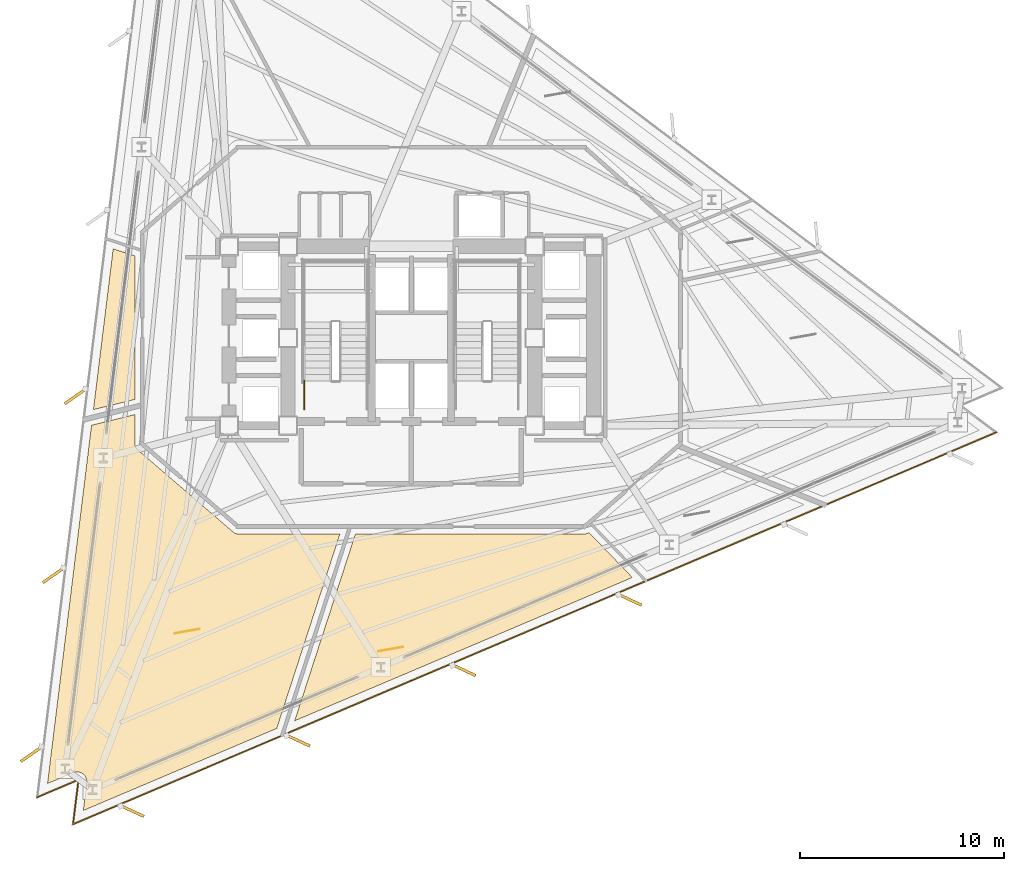
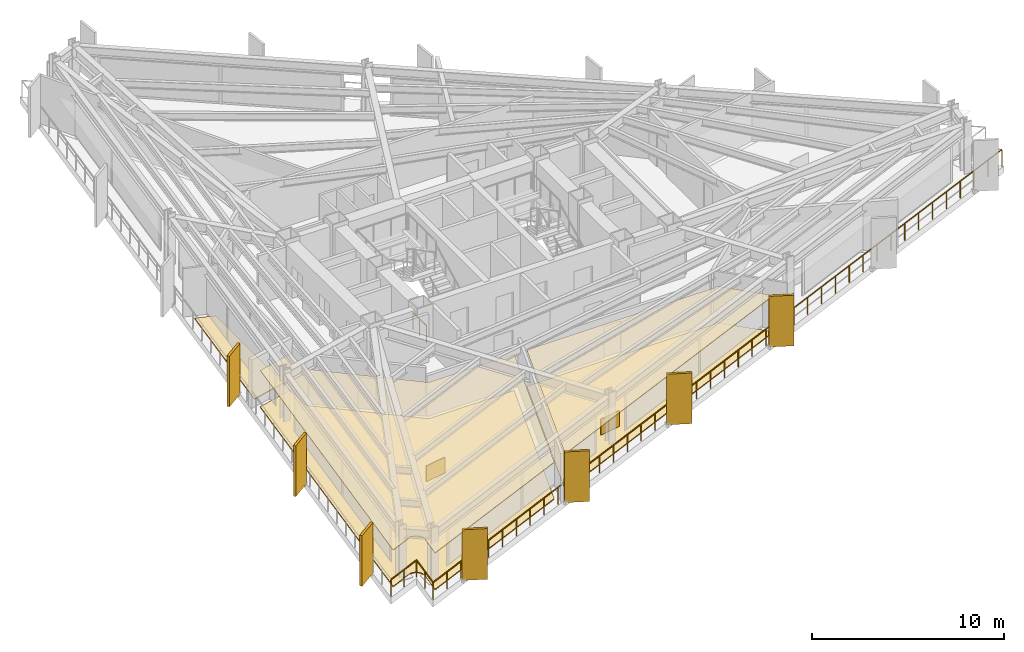
# One storey, part 9 of 13: 7 coverings, 7 shading devices, 2 railings.
"""IFC4 building model written with IfcOpenShell, lengths in metres."""

from ifc_helpers import new_model, si_unit, direction, frame, origin, origin_2d, place, context, subcontext, project, spatial, polyline, rectangle, outline, extrude, material, layer, layer_set, type_object, element, save


model = new_model("IFC4")

# Units and contexts
model_context = context("Model", 3, precision=1e-05, world=origin(), true_north=direction((0.0, 1.0)))
body_context = subcontext(model_context, "Body", "Model", "MODEL_VIEW")
ifc_project = project(units=[si_unit("LENGTHUNIT", "METRE"), si_unit("AREAUNIT", "SQUARE_METRE"), si_unit("VOLUMEUNIT", "CUBIC_METRE"), si_unit("PLANEANGLEUNIT", "RADIAN"), si_unit("MASSUNIT", "GRAM", prefix="KILO")], contexts=[model_context])

# Site, building, storey
site_placement = place(None, origin())
site = spatial("IfcSite", under=ifc_project, at=site_placement, CompositionType="ELEMENT")
building_placement = place(site_placement, origin())
building = spatial("IfcBuilding", under=site, at=building_placement, Name="Rocaltana Carrier Exchange", CompositionType="ELEMENT")
storey_placement = place(building_placement, frame((0.0, 0.0, 49.60009765625)))
storey = spatial("IfcBuildingStorey", under=building, at=storey_placement, Name="L15", CompositionType="ELEMENT", Elevation=49.60009765625)

# Coverings
ifc_material_1 = material(Name="Calcium Sulphate & Aluminium Pedestal", Category="aluminium")
ifc_layer_1 = layer(ifc_material_1, 0.06005859375)
ifc_layer_set_1 = layer_set([ifc_layer_1], Name="Calcium Sulphate & Aluminium Pedestal")
covering_type_1 = type_object("IfcCoveringType", Name="Anti-Static Raised Exchange Access Floor 60", PredefinedType="FLOORING", material=ifc_layer_set_1)
covering_1_placement = place(storey_placement, origin())
element("IfcCovering", 1, at=covering_1_placement, inside=storey, type_object=covering_type_1, Name="L15 Network Engineering Studio Finish Floor", PredefinedType="FLOORING", context=body_context, shape_type="SweptSolid", body=[
    extrude(outline(polyline([(-15.923583984375, -21.822021484375), (-15.922119140625, -21.80810546875), (-15.9208984375, -21.788330078125), (-15.920166015625, -21.760498046875), (-15.920654296875, -21.740478515625), (-15.9228515625, -21.712646484375), (-15.92529296875, -21.69287109375), (-15.930419921875, -21.665283203125), (-15.934814453125, -21.64599609375), (-15.9423828125, -21.619140625), (-15.94873046875, -21.60009765625), (-15.958984375, -21.57421875), (-15.96728515625, -21.55615234375), (-15.97998046875, -21.53125), (-15.989990234375, -21.51416015625), (-16.00537109375, -21.49072265625), (-16.01708984375, -21.474609375), (-16.034423828125, -21.45263671875), (-16.047607421875, -21.437744140625), (-16.067138671875, -21.41796875), (-16.081787109375, -21.404296875), (-16.103271484375, -21.386474609375), (-16.119140625, -21.37451171875), (-16.142333984375, -21.35888671875), (-16.159423828125, -21.348388671875), (-16.183837890625, -21.335205078125), (-16.201904296875, -21.326416015625), (-16.227783203125, -21.31591796875), (-16.246337890625, -21.30908203125), (-16.273193359375, -21.30078125), (-16.29248046875, -21.2958984375), (-16.31982421875, -21.29052734375), (-16.339599609375, -21.28759765625), (-16.3671875, -21.284912109375), (-16.38720703125, -21.283935546875), (-16.415283203125, -21.283935546875), (-16.43505859375, -21.284912109375), (-16.462890625, -21.287841796875), (-16.482421875, -21.291015625), (-16.510009765625, -21.29638671875), (-16.529296875, -21.301513671875), (-16.555908203125, -21.309814453125), (-16.57470703125, -21.316650390625), (-16.587646484375, -21.32177734375), (-17.847412109375, -21.8564453125), (-15.689697265625, -4.282958984375), (-13.56005859375, -3.751953125), (-13.56005859375, -5.199951171875), (-13.559814453125, -5.21337890625), (-13.559326171875, -5.220947265625), (-13.556884765625, -5.24755859375), (-13.5556640625, -5.255126953125), (-13.550537109375, -5.281494140625), (-13.548828125, -5.288818359375), (-13.541259765625, -5.314453125), (-13.538818359375, -5.32177734375), (-13.52880859375, -5.346435546875), (-13.525634765625, -5.353515625), (-13.51318359375, -5.377197265625), (-13.509521484375, -5.3837890625), (-13.4951171875, -5.40625), (-13.490478515625, -5.41259765625), (-13.47412109375, -5.433349609375), (-13.468994140625, -5.439208984375), (-13.450439453125, -5.45849609375), (-13.44482421875, -5.4638671875), (-13.43505859375, -5.47265625), (-8.735107421875, -9.522705078125), (-8.72412109375, -9.53173828125), (-8.717529296875, -9.53662109375), (-8.6943359375, -9.552978515625), (-8.6875, -9.557373046875), (-8.66259765625, -9.571044921875), (-8.6552734375, -9.57470703125), (-8.629150390625, -9.5859375), (-8.62158203125, -9.5888671875), (-8.594482421875, -9.597412109375), (-8.58642578125, -9.599365234375), (-8.55859375, -9.60498046875), (-8.550537109375, -9.606201171875), (-8.522216796875, -9.609130859375), (-8.51416015625, -9.609619140625), (-8.5, -9.610107421875), (-3.5009765625, -9.610107421875), (-6.6015625, -19.15283203125), (-16.09033203125, -23.180419921875), (-15.923583984375, -21.822021484375)])), origin(), (0.0, 0.0, 1.0), 0.059814453125),
])
covering_2_placement = place(storey_placement, origin())
element("IfcCovering", 2, at=covering_2_placement, inside=storey, type_object=covering_type_1, Name="L15 Photonic Integration Workshop Finish Floor", PredefinedType="FLOORING", context=body_context, shape_type="SweptSolid", body=[
    extrude(outline(polyline([(-5.723388671875, -18.780029296875), (-2.743896484375, -9.610107421875), (8.5, -9.610107421875), (8.51416015625, -9.609619140625), (8.522216796875, -9.609130859375), (8.550537109375, -9.606201171875), (8.55859375, -9.60498046875), (8.58642578125, -9.599365234375), (8.594482421875, -9.597412109375), (8.62158203125, -9.5888671875), (8.629150390625, -9.5859375), (8.6552734375, -9.57470703125), (8.66259765625, -9.571044921875), (8.6875, -9.557373046875), (8.6943359375, -9.552978515625), (8.71240234375, -9.540283203125), (10.843994140625, -11.74755859375), (-5.723388671875, -18.780029296875)])), origin(), (0.0, 0.0, 1.0), 0.059814453125),
])
covering_3_placement = place(storey_placement, origin())
element("IfcCovering", 3, at=covering_3_placement, inside=storey, type_object=covering_type_1, Name="L15 Cloud Architecture Office Finish Floor", PredefinedType="FLOORING", context=body_context, shape_type="SweptSolid", body=[
    extrude(outline(polyline([(-14.626708984375, 4.3740234375), (-13.56005859375, 4.02734375), (-13.56005859375, -3.010009765625), (-15.595703125, -3.517333984375), (-14.626708984375, 4.3740234375)])), origin(), (0.0, 0.0, 1.0), 0.059814453125),
])
ifc_material_2 = material(Name="Mineral Fibre & Powder-Coated Aluminium", Category="aluminium")
ifc_layer_2 = layer(ifc_material_2, 0.044921875)
ifc_layer_set_2 = layer_set([ifc_layer_2], Name="Mineral Fibre & Powder-Coated Aluminium")
covering_type_2 = type_object("IfcCoveringType", Name="Micro-Perforated Acoustic Ceiling 45", PredefinedType="CEILING", material=ifc_layer_set_2)
covering_4_placement = place(storey_placement, frame((0.0, 0.0, 2.322998046875)))
element("IfcCovering", 4, at=covering_4_placement, inside=storey, type_object=covering_type_2, Name="L15 Network Engineering Studio Acoustic Ceiling", PredefinedType="CEILING", context=body_context, shape_type="SweptSolid", body=[
    extrude(outline(polyline([(-15.923583984375, -21.822021484375), (-15.922119140625, -21.80810546875), (-15.9208984375, -21.788330078125), (-15.920166015625, -21.760498046875), (-15.920654296875, -21.740478515625), (-15.9228515625, -21.712646484375), (-15.92529296875, -21.69287109375), (-15.930419921875, -21.665283203125), (-15.934814453125, -21.64599609375), (-15.9423828125, -21.619140625), (-15.94873046875, -21.60009765625), (-15.958984375, -21.57421875), (-15.96728515625, -21.55615234375), (-15.97998046875, -21.53125), (-15.989990234375, -21.51416015625), (-16.00537109375, -21.49072265625), (-16.01708984375, -21.474609375), (-16.034423828125, -21.45263671875), (-16.047607421875, -21.437744140625), (-16.067138671875, -21.41796875), (-16.081787109375, -21.404296875), (-16.103271484375, -21.386474609375), (-16.119140625, -21.37451171875), (-16.142333984375, -21.35888671875), (-16.159423828125, -21.348388671875), (-16.183837890625, -21.335205078125), (-16.201904296875, -21.326416015625), (-16.227783203125, -21.31591796875), (-16.246337890625, -21.30908203125), (-16.273193359375, -21.30078125), (-16.29248046875, -21.2958984375), (-16.31982421875, -21.29052734375), (-16.339599609375, -21.28759765625), (-16.3671875, -21.284912109375), (-16.38720703125, -21.283935546875), (-16.415283203125, -21.283935546875), (-16.43505859375, -21.284912109375), (-16.462890625, -21.287841796875), (-16.482421875, -21.291015625), (-16.510009765625, -21.29638671875), (-16.529296875, -21.301513671875), (-16.555908203125, -21.309814453125), (-16.57470703125, -21.316650390625), (-16.587646484375, -21.32177734375), (-17.847412109375, -21.8564453125), (-15.689697265625, -4.282958984375), (-13.56005859375, -3.751953125), (-13.56005859375, -5.199951171875), (-13.559814453125, -5.21337890625), (-13.559326171875, -5.220947265625), (-13.556884765625, -5.24755859375), (-13.5556640625, -5.255126953125), (-13.550537109375, -5.281494140625), (-13.548828125, -5.288818359375), (-13.541259765625, -5.314453125), (-13.538818359375, -5.32177734375), (-13.52880859375, -5.346435546875), (-13.525634765625, -5.353515625), (-13.51318359375, -5.377197265625), (-13.509521484375, -5.3837890625), (-13.4951171875, -5.40625), (-13.490478515625, -5.41259765625), (-13.47412109375, -5.433349609375), (-13.468994140625, -5.439208984375), (-13.450439453125, -5.45849609375), (-13.44482421875, -5.4638671875), (-13.43505859375, -5.47265625), (-8.735107421875, -9.522705078125), (-8.72412109375, -9.53173828125), (-8.717529296875, -9.53662109375), (-8.6943359375, -9.552978515625), (-8.6875, -9.557373046875), (-8.66259765625, -9.571044921875), (-8.6552734375, -9.57470703125), (-8.629150390625, -9.5859375), (-8.62158203125, -9.5888671875), (-8.594482421875, -9.597412109375), (-8.58642578125, -9.599365234375), (-8.55859375, -9.60498046875), (-8.550537109375, -9.606201171875), (-8.522216796875, -9.609130859375), (-8.51416015625, -9.609619140625), (-8.5, -9.610107421875), (-3.5009765625, -9.610107421875), (-6.6015625, -19.15283203125), (-16.09033203125, -23.180419921875), (-15.923583984375, -21.822021484375)])), origin(), (0.0, 0.0, 1.0), 0.044921875),
])
covering_5_placement = place(storey_placement, frame((0.0, 0.0, 2.322998046875)))
element("IfcCovering", 5, at=covering_5_placement, inside=storey, type_object=covering_type_2, Name="L15 Photonic Integration Workshop Acoustic Ceiling", PredefinedType="CEILING", context=body_context, shape_type="SweptSolid", body=[
    extrude(outline(polyline([(-5.723388671875, -18.780029296875), (-2.743896484375, -9.610107421875), (8.5, -9.610107421875), (8.51416015625, -9.609619140625), (8.522216796875, -9.609130859375), (8.550537109375, -9.606201171875), (8.55859375, -9.60498046875), (8.58642578125, -9.599365234375), (8.594482421875, -9.597412109375), (8.62158203125, -9.5888671875), (8.629150390625, -9.5859375), (8.6552734375, -9.57470703125), (8.66259765625, -9.571044921875), (8.6875, -9.557373046875), (8.6943359375, -9.552978515625), (8.71240234375, -9.540283203125), (10.843994140625, -11.74755859375), (-5.723388671875, -18.780029296875)])), origin(), (0.0, 0.0, 1.0), 0.044921875),
])

# Railing
ifc_material_3 = material(Name="Powder-Coated Aluminium 6063-T6", Category="aluminium")
ifc_layer_3 = layer(ifc_material_3, 0.048095703125)
ifc_layer_set_3 = layer_set([ifc_layer_3], Name="Powder-Coated Aluminium 6063-T6")
railing_type_1 = type_object("IfcRailingType", Name="Stair Well Guardrail 1100", PredefinedType="GUARDRAIL", material=ifc_layer_set_3)
railing_1_placement = place(storey_placement, frame((-5.25, -3.5, 0.0)))
element("IfcRailing", 6, at=railing_1_placement, inside=storey, type_object=railing_type_1, Name="L15 ST-1 stair guard 9", PredefinedType="GUARDRAIL", context=body_context, shape_type="SweptSolid", body=[
    extrude(rectangle(XDim=0.048095703125, YDim=0.048095703125, at=origin_2d()), frame((0.0, 0.0, 1.076171875), z_axis=(0.0, 1.0, 0.0), x_axis=(-1.0, 0.0, 0.0)), (0.0, 0.0, 1.0), 1.39990234375),
    extrude(rectangle(XDim=0.0419921875, YDim=0.0419921875, at=origin_2d()), origin(), (0.0, 0.0, 1.0), 1.052001953125),
    extrude(rectangle(XDim=0.0419921875, YDim=0.0419921875, at=origin_2d()), frame((0.0, 0.699951171875, 0.0)), (0.0, 0.0, 1.0), 1.052001953125),
    extrude(rectangle(XDim=0.0419921875, YDim=0.0419921875, at=origin_2d()), frame((0.0, 1.39990234375, 0.0)), (0.0, 0.0, 1.0), 1.052001953125),
])

# Coverings
ifc_material_4 = material(Name="Honed Piedra Muneca Sandstone", Category="masonry")
ifc_layer_4 = layer(ifc_material_4, 0.034912109375)
ifc_layer_set_4 = layer_set([ifc_layer_4], Name="Honed Piedra Muneca Sandstone")
covering_type_3 = type_object("IfcCoveringType", Name="Stone Facade Cladding 35", PredefinedType="CLADDING", material=ifc_layer_set_4)
for number, where, z_axis, x_axis, name in (
    (7, (-10.990478515625, -14.38134765625, 0.0), (0.0, 0.0, 1.0), (0.984807753012, 0.173648177667, 0.0), "L15 Stone Facade Cladding Panel 1"),
    (8, (-1.010498046875, -15.263916015625, 0.0), (0.0, 0.0, 1.0), (0.984807753012, 0.173648177667, 0.0), "L15 Stone Facade Cladding Panel 2"),
):
    element("IfcCovering", number, at=place(storey_placement, frame(where, z_axis=z_axis, x_axis=x_axis)), inside=storey, type_object=covering_type_3, Name=name, PredefinedType="CLADDING", context=body_context, shape_type="SweptSolid", body=[
        extrude(rectangle(XDim=1.25, YDim=0.034912109375, at=origin_2d()), origin(), (0.0, 0.0, 1.0), 1.050048828125),
    ])

# Shading devices
ifc_material_5 = material(Name="Honed Bogota Sandstone & Concrete C45/55", Category="masonry")
ifc_layer_5 = layer(ifc_material_5, 0.139892578125)
ifc_layer_set_5 = layer_set([ifc_layer_5], Name="Honed Bogota Sandstone & Concrete C45/55")
shading_device_type = type_object("IfcShadingDeviceType", Name="Vertical Sandstone Shading Fin 1320x140", PredefinedType="USERDEFINED", material=ifc_layer_set_5)
for number, where, z_axis, x_axis, name in (
    (9, (-16.46142578125, -2.85009765625, -0.1201171875), (0.0, 0.0, 1.0), (-0.819152044289, -0.573576436351, 0.0), "L15 Sandstone Vertical Fin F2-04"),
    (10, (-17.538818359375, -11.6240234375, -0.1201171875), (0.0, 0.0, 1.0), (-0.819152044289, -0.573576436351, 0.0), "L15 Sandstone Vertical Fin F2-05"),
    (11, (-18.6162109375, -20.398193359375, -0.1201171875), (0.0, 0.0, 1.0), (-0.819152044289, -0.573576436351, 0.0), "L15 Sandstone Vertical Fin F2-06"),
    (12, (-13.712890625, -23.193359375, -0.1201171875), (0.0, 0.0, 1.0), (0.906307787037, -0.422618261741, 0.0), "L15 Sandstone Vertical Fin F3-01"),
    (13, (-5.57568359375, -19.7392578125, -0.1201171875), (0.0, 0.0, 1.0), (0.906307787037, -0.422618261741, 0.0), "L15 Sandstone Vertical Fin F3-02"),
    (14, (2.5615234375, -16.28515625, -0.1201171875), (0.0, 0.0, 1.0), (0.906307787037, -0.422618261741, 0.0), "L15 Sandstone Vertical Fin F3-03"),
    (15, (10.698974609375, -12.8310546875, -0.1201171875), (0.0, 0.0, 1.0), (0.906307787037, -0.422618261741, 0.0), "L15 Sandstone Vertical Fin F3-04"),
):
    element("IfcShadingDevice", number, at=place(storey_placement, frame(where, z_axis=z_axis, x_axis=x_axis)), inside=storey, type_object=shading_device_type, Name=name, ObjectType="FIN", PredefinedType="USERDEFINED", context=body_context, shape_type="SweptSolid", body=[
        extrude(rectangle(XDim=1.320068359375, YDim=0.139892578125, at=origin_2d()), origin(), (0.0, 0.0, 1.0), 3.218017578125),
    ])

# Railing
ifc_material_6 = material(Name="Powder-Coated Aluminium 6063-T6", Category="aluminium")
ifc_layer_6 = layer(ifc_material_6, 0.06005859375)
ifc_layer_set_6 = layer_set([ifc_layer_6], Name="Powder-Coated Aluminium 6063-T6")
railing_type_2 = type_object("IfcRailingType", Name="Wind-Floor & Terrace Perimeter Guardrail 1100", PredefinedType="GUARDRAIL", material=ifc_layer_set_6)
railing_2_placement = place(storey_placement, frame((28.685791015625, -4.63037109375, 0.0)))
element("IfcRailing", 16, at=railing_2_placement, inside=storey, type_object=railing_type_2, Name="L15 Perimeter Balcony Guardrail 1", PredefinedType="GUARDRAIL", context=body_context, shape_type="SweptSolid", body=[
    extrude(rectangle(XDim=0.048095703125, YDim=0.048095703125, at=origin_2d()), frame((0.0, 0.0, 1.076171875), z_axis=(-0.920504928534, -0.390730951608, 0.0), x_axis=(0.390730951608, -0.920504928534, 0.0)), (0.0, 0.0, 1.0), 49.1923828125),
    extrude(rectangle(XDim=0.048095703125, YDim=0.048095703125, at=origin_2d()), frame((-45.28173828125, -19.220947265625, 1.076171875), z_axis=(0.121849105842, 0.992548636292, 0.0), x_axis=(-0.992548636292, 0.121849105842, 0.0)), (0.0, 0.0, 1.0), 2.199951171875),
    extrude(rectangle(XDim=0.048095703125, YDim=0.048095703125, at=origin_2d()), frame((-45.013671875, -17.037353515625, 1.076171875), z_axis=(-0.920488651352, -0.390769296046, 0.0), x_axis=(0.390769296046, -0.920488651352, 0.0)), (0.0, 0.0, 1.0), 2.19970703125),
    extrude(rectangle(XDim=0.0419921875, YDim=0.0419921875, at=origin_2d()), origin(), (0.0, 0.0, 1.0), 1.052001953125),
    extrude(rectangle(XDim=0.0419921875, YDim=0.0419921875, at=origin_2d()), frame((-1.1044921875, -0.46875, 0.0)), (0.0, 0.0, 1.0), 1.052001953125),
    extrude(rectangle(XDim=0.0419921875, YDim=0.0419921875, at=origin_2d()), frame((-2.208984375, -0.9375, 0.0)), (0.0, 0.0, 1.0), 1.052001953125),
    extrude(rectangle(XDim=0.0419921875, YDim=0.0419921875, at=origin_2d()), frame((-3.313232421875, -1.406494140625, 0.0)), (0.0, 0.0, 1.0), 1.052001953125),
    extrude(rectangle(XDim=0.0419921875, YDim=0.0419921875, at=origin_2d()), frame((-4.417724609375, -1.875244140625, 0.0)), (0.0, 0.0, 1.0), 1.052001953125),
    extrude(rectangle(XDim=0.0419921875, YDim=0.0419921875, at=origin_2d()), frame((-5.522216796875, -2.343994140625, 0.0)), (0.0, 0.0, 1.0), 1.052001953125),
    extrude(rectangle(XDim=0.0419921875, YDim=0.0419921875, at=origin_2d()), frame((-6.626708984375, -2.812744140625, 0.0)), (0.0, 0.0, 1.0), 1.052001953125),
    extrude(rectangle(XDim=0.0419921875, YDim=0.0419921875, at=origin_2d()), frame((-7.73095703125, -3.28173828125, 0.0)), (0.0, 0.0, 1.0), 1.052001953125),
    extrude(rectangle(XDim=0.0419921875, YDim=0.0419921875, at=origin_2d()), frame((-8.83544921875, -3.75048828125, 0.0)), (0.0, 0.0, 1.0), 1.052001953125),
    extrude(rectangle(XDim=0.0419921875, YDim=0.0419921875, at=origin_2d()), frame((-9.93994140625, -4.21923828125, 0.0)), (0.0, 0.0, 1.0), 1.052001953125),
    extrude(rectangle(XDim=0.0419921875, YDim=0.0419921875, at=origin_2d()), frame((-11.04443359375, -4.68798828125, 0.0)), (0.0, 0.0, 1.0), 1.052001953125),
    extrude(rectangle(XDim=0.0419921875, YDim=0.0419921875, at=origin_2d()), frame((-12.148681640625, -5.15673828125, 0.0)), (0.0, 0.0, 1.0), 1.052001953125),
    extrude(rectangle(XDim=0.0419921875, YDim=0.0419921875, at=origin_2d()), frame((-13.253173828125, -5.625732421875, 0.0)), (0.0, 0.0, 1.0), 1.052001953125),
    extrude(rectangle(XDim=0.0419921875, YDim=0.0419921875, at=origin_2d()), frame((-14.357666015625, -6.094482421875, 0.0)), (0.0, 0.0, 1.0), 1.052001953125),
    extrude(rectangle(XDim=0.0419921875, YDim=0.0419921875, at=origin_2d()), frame((-15.462158203125, -6.563232421875, 0.0)), (0.0, 0.0, 1.0), 1.052001953125),
    extrude(rectangle(XDim=0.0419921875, YDim=0.0419921875, at=origin_2d()), frame((-16.56640625, -7.031982421875, 0.0)), (0.0, 0.0, 1.0), 1.052001953125),
    extrude(rectangle(XDim=0.0419921875, YDim=0.0419921875, at=origin_2d()), frame((-17.6708984375, -7.5009765625, 0.0)), (0.0, 0.0, 1.0), 1.052001953125),
    extrude(rectangle(XDim=0.0419921875, YDim=0.0419921875, at=origin_2d()), frame((-18.775390625, -7.9697265625, 0.0)), (0.0, 0.0, 1.0), 1.052001953125),
    extrude(rectangle(XDim=0.0419921875, YDim=0.0419921875, at=origin_2d()), frame((-19.8798828125, -8.4384765625, 0.0)), (0.0, 0.0, 1.0), 1.052001953125),
    extrude(rectangle(XDim=0.0419921875, YDim=0.0419921875, at=origin_2d()), frame((-20.984130859375, -8.9072265625, 0.0)), (0.0, 0.0, 1.0), 1.052001953125),
    extrude(rectangle(XDim=0.0419921875, YDim=0.0419921875, at=origin_2d()), frame((-22.088623046875, -9.3759765625, 0.0)), (0.0, 0.0, 1.0), 1.052001953125),
    extrude(rectangle(XDim=0.0419921875, YDim=0.0419921875, at=origin_2d()), frame((-23.193115234375, -9.844970703125, 0.0)), (0.0, 0.0, 1.0), 1.052001953125),
    extrude(rectangle(XDim=0.0419921875, YDim=0.0419921875, at=origin_2d()), frame((-24.297607421875, -10.313720703125, 0.0)), (0.0, 0.0, 1.0), 1.052001953125),
    extrude(rectangle(XDim=0.0419921875, YDim=0.0419921875, at=origin_2d()), frame((-25.40185546875, -10.782470703125, 0.0)), (0.0, 0.0, 1.0), 1.052001953125),
    extrude(rectangle(XDim=0.0419921875, YDim=0.0419921875, at=origin_2d()), frame((-26.50634765625, -11.251220703125, 0.0)), (0.0, 0.0, 1.0), 1.052001953125),
    extrude(rectangle(XDim=0.0419921875, YDim=0.0419921875, at=origin_2d()), frame((-27.61083984375, -11.719970703125, 0.0)), (0.0, 0.0, 1.0), 1.052001953125),
    extrude(rectangle(XDim=0.0419921875, YDim=0.0419921875, at=origin_2d()), frame((-28.71533203125, -12.18896484375, 0.0)), (0.0, 0.0, 1.0), 1.052001953125),
    extrude(rectangle(XDim=0.0419921875, YDim=0.0419921875, at=origin_2d()), frame((-29.819580078125, -12.65771484375, 0.0)), (0.0, 0.0, 1.0), 1.052001953125),
    extrude(rectangle(XDim=0.0419921875, YDim=0.0419921875, at=origin_2d()), frame((-30.924072265625, -13.12646484375, 0.0)), (0.0, 0.0, 1.0), 1.052001953125),
    extrude(rectangle(XDim=0.0419921875, YDim=0.0419921875, at=origin_2d()), frame((-32.028564453125, -13.59521484375, 0.0)), (0.0, 0.0, 1.0), 1.052001953125),
    extrude(rectangle(XDim=0.0419921875, YDim=0.0419921875, at=origin_2d()), frame((-33.133056640625, -14.064208984375, 0.0)), (0.0, 0.0, 1.0), 1.052001953125),
    extrude(rectangle(XDim=0.0419921875, YDim=0.0419921875, at=origin_2d()), frame((-34.2373046875, -14.532958984375, 0.0)), (0.0, 0.0, 1.0), 1.052001953125),
    extrude(rectangle(XDim=0.0419921875, YDim=0.0419921875, at=origin_2d()), frame((-35.341796875, -15.001708984375, 0.0)), (0.0, 0.0, 1.0), 1.052001953125),
    extrude(rectangle(XDim=0.0419921875, YDim=0.0419921875, at=origin_2d()), frame((-36.4462890625, -15.470458984375, 0.0)), (0.0, 0.0, 1.0), 1.052001953125),
    extrude(rectangle(XDim=0.0419921875, YDim=0.0419921875, at=origin_2d()), frame((-37.55078125, -15.939208984375, 0.0)), (0.0, 0.0, 1.0), 1.052001953125),
    extrude(rectangle(XDim=0.0419921875, YDim=0.0419921875, at=origin_2d()), frame((-38.655029296875, -16.408203125, 0.0)), (0.0, 0.0, 1.0), 1.052001953125),
    extrude(rectangle(XDim=0.0419921875, YDim=0.0419921875, at=origin_2d()), frame((-39.759521484375, -16.876953125, 0.0)), (0.0, 0.0, 1.0), 1.052001953125),
    extrude(rectangle(XDim=0.0419921875, YDim=0.0419921875, at=origin_2d()), frame((-40.864013671875, -17.345703125, 0.0)), (0.0, 0.0, 1.0), 1.052001953125),
    extrude(rectangle(XDim=0.0419921875, YDim=0.0419921875, at=origin_2d()), frame((-41.968505859375, -17.814453125, 0.0)), (0.0, 0.0, 1.0), 1.052001953125),
    extrude(rectangle(XDim=0.0419921875, YDim=0.0419921875, at=origin_2d()), frame((-43.07275390625, -18.283447265625, 0.0)), (0.0, 0.0, 1.0), 1.052001953125),
    extrude(rectangle(XDim=0.0419921875, YDim=0.0419921875, at=origin_2d()), frame((-44.17724609375, -18.752197265625, 0.0)), (0.0, 0.0, 1.0), 1.052001953125),
    extrude(rectangle(XDim=0.0419921875, YDim=0.0419921875, at=origin_2d()), frame((-45.28173828125, -19.220947265625, 0.0)), (0.0, 0.0, 1.0), 1.052001953125),
    extrude(rectangle(XDim=0.0419921875, YDim=0.0419921875, at=origin_2d()), frame((-45.147705078125, -18.129150390625, 0.0)), (0.0, 0.0, 1.0), 1.052001953125),
    extrude(rectangle(XDim=0.0419921875, YDim=0.0419921875, at=origin_2d()), frame((-45.013671875, -17.037353515625, 0.0)), (0.0, 0.0, 1.0), 1.052001953125),
    extrude(rectangle(XDim=0.0419921875, YDim=0.0419921875, at=origin_2d()), frame((-46.026123046875, -17.46728515625, 0.0)), (0.0, 0.0, 1.0), 1.052001953125),
    extrude(rectangle(XDim=0.0419921875, YDim=0.0419921875, at=origin_2d()), frame((-47.03857421875, -17.89697265625, 0.0)), (0.0, 0.0, 1.0), 1.052001953125),
])

save(model, "model.ifc")
